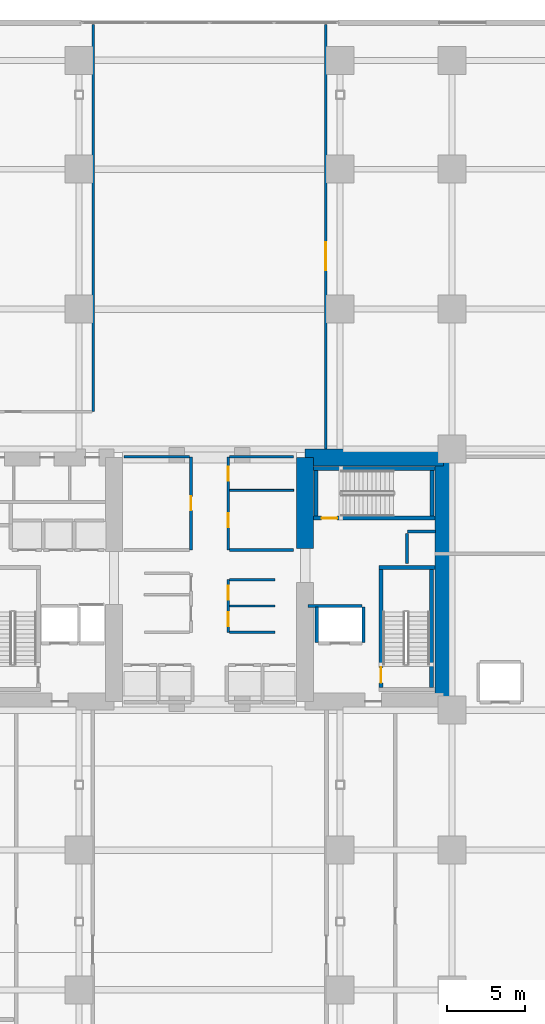
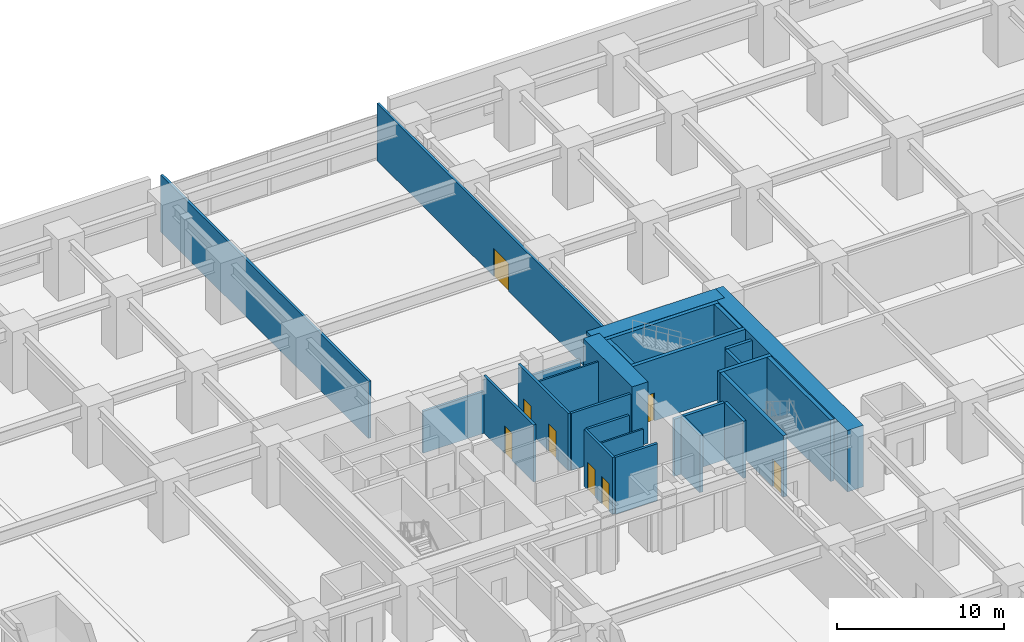
# One storey, part 15 of 26: 27 walls, 8 doors, 8 openings.
"""IFC4 building model written with IfcOpenShell, lengths in metres."""

from ifc_helpers import new_model, si_unit, direction, frame, frame_2d, origin, place, context, subcontext, project, spatial, rectangle, extrude, material, layer, layer_set, type_object, element, fill, save


model = new_model("IFC4")

# Units and contexts
model_context = context("Model", 3, precision=1e-05, world=origin(), true_north=direction((0.0, 1.0)))
body_context = subcontext(model_context, "Body", "Model", "MODEL_VIEW")
ifc_project = project(units=[si_unit("LENGTHUNIT", "METRE"), si_unit("AREAUNIT", "SQUARE_METRE"), si_unit("VOLUMEUNIT", "CUBIC_METRE"), si_unit("PLANEANGLEUNIT", "RADIAN"), si_unit("MASSUNIT", "GRAM", prefix="KILO")], contexts=[model_context])

# Site, building, storey
site_placement = place(None, origin())
site = spatial("IfcSite", under=ifc_project, at=site_placement, CompositionType="ELEMENT")
building_placement = place(site_placement, origin())
building = spatial("IfcBuilding", under=site, at=building_placement, Name="Kiyonajd Concourse Tower", CompositionType="ELEMENT")
storey_placement = place(building_placement, origin())
storey = spatial("IfcBuildingStorey", under=building, at=storey_placement, Name="L01", CompositionType="ELEMENT", Elevation=0.0)

# Walls
ifc_material_1 = material(Name="Concrete C80/95", Category="concrete")
ifc_layer_1 = layer(ifc_material_1, 1.10009765625)
ifc_layer_set_1 = layer_set([ifc_layer_1], Name="Concrete C80/95")
wall_type_1 = type_object("IfcWallType", Name="WL-CORE-1100", PredefinedType="SHEAR", material=ifc_layer_set_1)
wall_1_placement = place(storey_placement, frame((54.14990234375, 38.0, 0.0), z_axis=(0.0, 0.0, 1.0), x_axis=(0.0, 1.0, 0.0)))
element("IfcWall", 1, at=wall_1_placement, inside=storey, type_object=wall_type_1, Name="L01 East Core Inner North Shear Wall", PredefinedType="SHEAR", context=body_context, shape_type="SweptSolid", body=[
    extrude(rectangle(XDim=5.85009765625, YDim=1.10009765625, at=frame_2d((2.925048828125, 0.0))), origin(), (0.0, 0.0, 1.0), 4.5),
])
wall_2_placement = place(storey_placement, frame((63.050048828125, 27.60009765625, 0.0), z_axis=(0.0, 0.0, 1.0), x_axis=(0.0, 1.0, 0.0)))
element("IfcWall", 2, at=wall_2_placement, inside=storey, type_object=wall_type_1, Name="L01 East Core Outer Shear Wall", PredefinedType="SHEAR", context=body_context, shape_type="SweptSolid", body=[
    extrude(rectangle(XDim=16.7998046875, YDim=1.10009765625, at=frame_2d((8.39990234375, 0.0))), origin(), (0.0, 0.0, 1.0), 4.5),
])
wall_3_placement = place(storey_placement, frame((54.14990234375, 43.85009765625, 0.0), z_axis=(0.0, 0.0, 1.0), x_axis=(1.0, 0.0, 0.0)))
element("IfcWall", 3, at=wall_3_placement, inside=storey, type_object=wall_type_1, Name="L01 East Core North Shear Wall", PredefinedType="SHEAR", context=body_context, shape_type="SweptSolid", body=[
    extrude(rectangle(XDim=8.900146484375, YDim=1.10009765625, at=frame_2d((4.4501953125, 0.0))), origin(), (0.0, 0.0, 1.0), 4.5),
])
ifc_material_2 = material(Name="Gypsum Board on Cold-Formed Steel Stud", Category="steel")
ifc_layer_2 = layer(ifc_material_2, 0.125)
ifc_layer_set_2 = layer_set([ifc_layer_2], Name="Gypsum Board on Cold-Formed Steel Stud")
wall_type_2 = type_object("IfcWallType", Name="WL-PART-125", PredefinedType="PARTITIONING", material=ifc_layer_set_2)
wall_4_placement = place(storey_placement, frame((49.287109375, 34.300048828125, 0.0), z_axis=(0.0, 0.0, 1.0), x_axis=(1.0, 0.0, 0.0)))
element("IfcWall", 4, at=wall_4_placement, inside=storey, type_object=wall_type_2, Name="L01 Interior Partition Wall", PredefinedType="PARTITIONING", context=body_context, shape_type="SweptSolid", body=[
    extrude(rectangle(XDim=2.912841796875, YDim=0.125, at=frame_2d((1.45654296875, 0.0))), origin(), (0.0, 0.0, 1.0), 4.179931640625),
])
wall_5_placement = place(storey_placement, frame((49.287109375, 41.739990234375, 0.0), z_axis=(0.0, 0.0, 1.0), x_axis=(1.0, 0.0, 0.0)))
element("IfcWall", 5, at=wall_5_placement, inside=storey, type_object=wall_type_2, Name="L01 Interior Partition Wall", PredefinedType="PARTITIONING", context=body_context, shape_type="SweptSolid", body=[
    extrude(rectangle(XDim=4.11279296875, YDim=0.125, at=frame_2d((2.056396484375, 0.0))), origin(), (0.0, 0.0, 1.0), 4.179931640625),
])
ifc_layer_3 = layer(ifc_material_2, 0.2099609375)
ifc_layer_set_3 = layer_set([ifc_layer_3], Name="Gypsum Board on Cold-Formed Steel Stud")
wall_type_3 = type_object("IfcWallType", Name="WL-SHAFT-210", PredefinedType="PARTITIONING", material=ifc_layer_set_3)
wall_6_placement = place(storey_placement, frame((60.719970703125, 39.10009765625, 0.0), z_axis=(0.0, 0.0, 1.0), x_axis=(1.0, 0.0, 0.0)))
element("IfcWall", 6, at=wall_6_placement, inside=storey, type_object=wall_type_3, Name="L01 Shaft Enclosure Wall", PredefinedType="PARTITIONING", context=body_context, shape_type="SweptSolid", body=[
    extrude(rectangle(XDim=1.800048828125, YDim=0.2099609375, at=frame_2d((0.89990234375, 0.0))), origin(), (0.0, 0.0, 1.0), 4.179931640625),
])
wall_7_placement = place(storey_placement, frame((60.699951171875, 37.02001953125, 0.0), z_axis=(0.0, 0.0, 1.0), x_axis=(0.0, 1.0, 0.0)))
element("IfcWall", 7, at=wall_7_placement, inside=storey, type_object=wall_type_3, Name="L01 Shaft Enclosure Wall", PredefinedType="PARTITIONING", context=body_context, shape_type="SweptSolid", body=[
    extrude(rectangle(XDim=1.9599609375, YDim=0.2099609375, at=frame_2d((0.97998046875, 0.0))), origin(), (0.0, 0.0, 1.0), 4.179931640625),
])
wall_8_placement = place(storey_placement, frame((54.320068359375, 34.300048828125, 0.0), z_axis=(0.0, 0.0, 1.0), x_axis=(1.0, 0.0, 0.0)))
element("IfcWall", 8, at=wall_8_placement, inside=storey, type_object=wall_type_3, Name="L01 Shaft Enclosure Wall", PredefinedType="PARTITIONING", context=body_context, shape_type="SweptSolid", body=[
    extrude(rectangle(XDim=3.47998046875, YDim=0.2099609375, at=frame_2d((1.739990234375, 0.0))), origin(), (0.0, 0.0, 1.0), 4.179931640625),
])
for number, where, z_axis, x_axis, name in (
    (9, (54.89990234375, 31.9599609375, 0.0), (0.0, 0.0, 1.0), (0.0, 1.0, 0.0), "L01 Shaft Enclosure Wall"),
    (10, (57.89990234375, 31.9599609375, 0.0), (0.0, 0.0, 1.0), (0.0, 1.0, 0.0), "L01 Shaft Enclosure Wall"),
):
    element("IfcWall", number, at=place(storey_placement, frame(where, z_axis=z_axis, x_axis=x_axis)), inside=storey, type_object=wall_type_3, Name=name, PredefinedType="PARTITIONING", context=body_context, shape_type="SweptSolid", body=[
        extrude(rectangle(XDim=2.280029296875, YDim=0.2099609375, at=frame_2d((1.14013671875, 0.0))), origin(), (0.0, 0.0, 1.0), 4.179931640625),
    ])

# Wall, openings, doors
ifc_layer_4 = layer(ifc_material_2, 0.169921875)
ifc_layer_set_4 = layer_set([ifc_layer_4], Name="Gypsum Board on Cold-Formed Steel Stud")
wall_type_4 = type_object("IfcWallType", Name="WL-SMK-170", PredefinedType="PARTITIONING", material=ifc_layer_set_4)
wall_9_placement = place(storey_placement, frame((49.199951171875, 32.60009765625, 0.0), z_axis=(0.0, 0.0, 1.0), x_axis=(0.0, 1.0, 0.0)))
wall_9 = element("IfcWall", 11, at=wall_9_placement, inside=storey, type_object=wall_type_4, Name="L01 Interior Partition Wall", PredefinedType="PARTITIONING", context=body_context, shape_type="SweptSolid", body=[
    extrude(rectangle(XDim=3.39990234375, YDim=0.169921875, at=frame_2d((1.699951171875, 0.0))), origin(), (0.0, 0.0, 1.0), 4.179931640625),
])
opening_1_placement = place(wall_9_placement, frame((0.39990234375, 0.0, 0.0)))
opening_1 = element("IfcOpeningElement", 12, at=opening_1_placement, cuts=wall_9, Name="Opening DI2", PredefinedType="OPENING", context=body_context, shape_type="SweptSolid", body=[
    extrude(rectangle(XDim=0.89990234375, YDim=2.02001953125, at=frame_2d((0.449951171875, 1.010009765625))), frame((0.0, 0.094970703125, 0.0), z_axis=(0.0, -1.0, 0.0), x_axis=(1.0, 0.0, 0.0)), (0.0, 0.0, 1.0), 0.18994140625),
])
opening_2_placement = place(wall_9_placement, frame((2.10009765625, 0.0, 0.0)))
opening_2 = element("IfcOpeningElement", 13, at=opening_2_placement, cuts=wall_9, Name="Opening DI2", PredefinedType="OPENING", context=body_context, shape_type="SweptSolid", body=[
    extrude(rectangle(XDim=0.89990234375, YDim=2.02001953125, at=frame_2d((0.449951171875, 1.010009765625))), frame((0.0, 0.094970703125, 0.0), z_axis=(0.0, -1.0, 0.0), x_axis=(1.0, 0.0, 0.0)), (0.0, 0.0, 1.0), 0.18994140625),
])
ifc_material_3 = material(Name="Natural Oak Acoustic Timber Veneer", Category="wood")
door_type_1 = type_object("IfcDoorType", Name="DR-INT-900", OperationType="NOTDEFINED", PredefinedType="DOOR", material=ifc_material_3)
door_1_placement = place(opening_1_placement, origin())
door_1 = element("IfcDoor", 14, at=door_1_placement, inside=storey, type_object=door_type_1, Name="L01 Interior Door", OperationType="SINGLE_SWING_LEFT", OverallHeight=2.02001953125, OverallWidth=0.89990234375, PredefinedType="DOOR", context=body_context, shape_type="SweptSolid", body=[
    extrude(rectangle(XDim=0.89990234375, YDim=2.02001953125, at=frame_2d((0.449951171875, 1.010009765625))), frame((0.0, 0.02490234375, 0.0), z_axis=(0.0, -1.0, 0.0), x_axis=(1.0, 0.0, 0.0)), (0.0, 0.0, 1.0), 0.050048828125),
])
fill(opening_1, door_1)
door_2_placement = place(opening_2_placement, origin())
door_2 = element("IfcDoor", 15, at=door_2_placement, inside=storey, type_object=door_type_1, Name="L01 Interior Door", OperationType="SINGLE_SWING_RIGHT", OverallHeight=2.02001953125, OverallWidth=0.89990234375, PredefinedType="DOOR", context=body_context, shape_type="SweptSolid", body=[
    extrude(rectangle(XDim=0.89990234375, YDim=2.02001953125, at=frame_2d((0.449951171875, 1.010009765625))), frame((0.0, 0.02490234375, 0.0), z_axis=(0.0, -1.0, 0.0), x_axis=(1.0, 0.0, 0.0)), (0.0, 0.0, 1.0), 0.050048828125),
])
fill(opening_2, door_2)

# Walls
for number, where, z_axis, x_axis, name in (
    (16, (49.287109375, 32.60009765625, 0.0), (0.0, 0.0, 1.0), (1.0, 0.0, 0.0), "L01 Interior Partition Wall"),
    (17, (49.287109375, 36.0, 0.0), (0.0, 0.0, 1.0), (1.0, 0.0, 0.0), "L01 Interior Partition Wall"),
):
    element("IfcWall", number, at=place(storey_placement, frame(where, z_axis=z_axis, x_axis=x_axis)), inside=storey, type_object=wall_type_4, Name=name, PredefinedType="PARTITIONING", context=body_context, shape_type="SweptSolid", body=[
        extrude(rectangle(XDim=2.912841796875, YDim=0.169921875, at=frame_2d((1.45654296875, 0.0))), origin(), (0.0, 0.0, 1.0), 4.179931640625),
    ])

# Wall, opening, door
wall_10_placement = place(storey_placement, frame((46.800048828125, 37.89990234375, 0.0), z_axis=(0.0, 0.0, 1.0), x_axis=(0.0, 1.0, 0.0)))
wall_10 = element("IfcWall", 18, at=wall_10_placement, inside=storey, type_object=wall_type_4, Name="L01 Interior Partition Wall", PredefinedType="PARTITIONING", context=body_context, shape_type="SweptSolid", body=[
    extrude(rectangle(XDim=6.0, YDim=0.169921875, at=frame_2d((3.0, 0.0))), origin(), (0.0, 0.0, 1.0), 4.179931640625),
])
opening_3_placement = place(wall_10_placement, frame((2.550048828125, 0.0, 0.0)))
opening_3 = element("IfcOpeningElement", 19, at=opening_3_placement, cuts=wall_10, Name="Opening DI2", PredefinedType="OPENING", context=body_context, shape_type="SweptSolid", body=[
    extrude(rectangle(XDim=0.89990234375, YDim=2.02001953125, at=frame_2d((0.449951171875, 1.010009765625))), frame((0.0, 0.094970703125, 0.0), z_axis=(0.0, -1.0, 0.0), x_axis=(1.0, 0.0, 0.0)), (0.0, 0.0, 1.0), 0.18994140625),
])
door_3_placement = place(opening_3_placement, origin())
door_3 = element("IfcDoor", 20, at=door_3_placement, inside=storey, type_object=door_type_1, Name="L01 Interior Door", OperationType="SINGLE_SWING_LEFT", OverallHeight=2.02001953125, OverallWidth=0.89990234375, PredefinedType="DOOR", context=body_context, shape_type="SweptSolid", body=[
    extrude(rectangle(XDim=0.89990234375, YDim=2.02001953125, at=frame_2d((0.449951171875, 1.010009765625))), frame((0.0, 0.02490234375, 0.0), z_axis=(0.0, -1.0, 0.0), x_axis=(1.0, 0.0, 0.0)), (0.0, 0.0, 1.0), 0.050048828125),
])
fill(opening_3, door_3)

# Wall
wall_11_placement = place(storey_placement, frame((42.5, 43.89990234375, 0.0), z_axis=(0.0, 0.0, 1.0), x_axis=(1.0, 0.0, 0.0)))
element("IfcWall", 21, at=wall_11_placement, inside=storey, type_object=wall_type_4, Name="L01 Interior Partition Wall", PredefinedType="PARTITIONING", context=body_context, shape_type="SweptSolid", body=[
    extrude(rectangle(XDim=4.212890625, YDim=0.169921875, at=frame_2d((2.1064453125, 0.0))), origin(), (0.0, 0.0, 1.0), 3.06494140625),
])

# Wall, openings, doors
wall_12_placement = place(storey_placement, frame((49.199951171875, 37.89990234375, 0.0), z_axis=(0.0, 0.0, 1.0), x_axis=(0.0, 1.0, 0.0)))
wall_12 = element("IfcWall", 22, at=wall_12_placement, inside=storey, type_object=wall_type_4, Name="L01 Interior Partition Wall", PredefinedType="PARTITIONING", context=body_context, shape_type="SweptSolid", body=[
    extrude(rectangle(XDim=6.0, YDim=0.169921875, at=frame_2d((3.0, 0.0))), origin(), (0.0, 0.0, 1.0), 4.179931640625),
])
opening_4_placement = place(wall_12_placement, frame((1.469970703125, 0.0, 0.0)))
opening_4 = element("IfcOpeningElement", 23, at=opening_4_placement, cuts=wall_12, Name="Opening DF4", PredefinedType="OPENING", context=body_context, shape_type="SweptSolid", body=[
    extrude(rectangle(XDim=0.89990234375, YDim=2.02001953125, at=frame_2d((0.449951171875, 1.010009765625))), frame((0.0, 0.094970703125, 0.0), z_axis=(0.0, -1.0, 0.0), x_axis=(1.0, 0.0, 0.0)), (0.0, 0.0, 1.0), 0.18994140625),
])
opening_5_placement = place(wall_12_placement, frame((4.469970703125, 0.0, 0.0)))
opening_5 = element("IfcOpeningElement", 24, at=opening_5_placement, cuts=wall_12, Name="Opening DF4", PredefinedType="OPENING", context=body_context, shape_type="SweptSolid", body=[
    extrude(rectangle(XDim=0.89990234375, YDim=2.02001953125, at=frame_2d((0.449951171875, 1.010009765625))), frame((0.0, 0.094970703125, 0.0), z_axis=(0.0, -1.0, 0.0), x_axis=(1.0, 0.0, 0.0)), (0.0, 0.0, 1.0), 0.18994140625),
])
ifc_material_4 = material(Name="Brushed Stainless Steel Cab Assembly", Category="steel")
door_type_2 = type_object("IfcDoorType", Name="DR-FD60-900", OperationType="NOTDEFINED", PredefinedType="DOOR", material=ifc_material_4)
door_4_placement = place(opening_4_placement, origin())
door_4 = element("IfcDoor", 25, at=door_4_placement, inside=storey, type_object=door_type_2, Name="L01 Interior Door", OperationType="SINGLE_SWING_RIGHT", OverallHeight=2.02001953125, OverallWidth=0.89990234375, PredefinedType="DOOR", context=body_context, shape_type="SweptSolid", body=[
    extrude(rectangle(XDim=0.89990234375, YDim=2.02001953125, at=frame_2d((0.449951171875, 1.010009765625))), frame((0.0, 0.02490234375, 0.0), z_axis=(0.0, -1.0, 0.0), x_axis=(1.0, 0.0, 0.0)), (0.0, 0.0, 1.0), 0.050048828125),
])
fill(opening_4, door_4)
door_5_placement = place(opening_5_placement, origin())
door_5 = element("IfcDoor", 26, at=door_5_placement, inside=storey, type_object=door_type_2, Name="L01 Interior Door", OperationType="SINGLE_SWING_LEFT", OverallHeight=2.02001953125, OverallWidth=0.89990234375, PredefinedType="DOOR", context=body_context, shape_type="SweptSolid", body=[
    extrude(rectangle(XDim=0.89990234375, YDim=2.02001953125, at=frame_2d((0.449951171875, 1.010009765625))), frame((0.0, 0.02490234375, 0.0), z_axis=(0.0, -1.0, 0.0), x_axis=(1.0, 0.0, 0.0)), (0.0, 0.0, 1.0), 0.050048828125),
])
fill(opening_5, door_5)

# Walls
wall_13_placement = place(storey_placement, frame((49.287109375, 37.89990234375, 0.0), z_axis=(0.0, 0.0, 1.0), x_axis=(1.0, 0.0, 0.0)))
element("IfcWall", 27, at=wall_13_placement, inside=storey, type_object=wall_type_4, Name="L01 Interior Partition Wall", PredefinedType="PARTITIONING", context=body_context, shape_type="SweptSolid", body=[
    extrude(rectangle(XDim=4.11279296875, YDim=0.169921875, at=frame_2d((2.056396484375, 0.0))), origin(), (0.0, 0.0, 1.0), 4.179931640625),
])
wall_14_placement = place(storey_placement, frame((49.287109375, 43.89990234375, 0.0), z_axis=(0.0, 0.0, 1.0), x_axis=(1.0, 0.0, 0.0)))
element("IfcWall", 28, at=wall_14_placement, inside=storey, type_object=wall_type_4, Name="L01 Interior Partition Wall", PredefinedType="PARTITIONING", context=body_context, shape_type="SweptSolid", body=[
    extrude(rectangle(XDim=4.11279296875, YDim=0.169921875, at=frame_2d((2.056396484375, 0.0))), origin(), (0.0, 0.0, 1.0), 3.06494140625),
])
wall_15_placement = place(storey_placement, frame((40.52001953125, 46.800048828125, 0.0), z_axis=(0.0, 0.0, 1.0), x_axis=(0.0, 1.0, 0.0)))
element("IfcWall", 29, at=wall_15_placement, inside=storey, type_object=wall_type_4, Name="L01 Interior Partition Wall", PredefinedType="PARTITIONING", context=body_context, shape_type="SweptSolid", body=[
    extrude(rectangle(XDim=24.9150390625, YDim=0.169921875, at=frame_2d((12.45751953125, 0.0))), origin(), (0.0, 0.0, 1.0), 4.179931640625),
])

# Wall, opening, door
wall_16_placement = place(storey_placement, frame((55.47998046875, 44.39990234375, 0.0), z_axis=(0.0, 0.0, 1.0), x_axis=(0.0, 1.0, 0.0)))
wall_16 = element("IfcWall", 30, at=wall_16_placement, inside=storey, type_object=wall_type_4, Name="L01 Interior Partition Wall", PredefinedType="PARTITIONING", context=body_context, shape_type="SweptSolid", body=[
    extrude(rectangle(XDim=27.315185546875, YDim=0.169921875, at=frame_2d((13.65771484375, 0.0))), origin(), (0.0, 0.0, 1.0), 4.179931640625),
])
opening_6_placement = place(wall_16_placement, frame((11.5, 0.0, 0.0)))
opening_6 = element("IfcOpeningElement", 31, at=opening_6_placement, cuts=wall_16, Name="Opening DI3", PredefinedType="OPENING", context=body_context, shape_type="SweptSolid", body=[
    extrude(rectangle(XDim=1.800048828125, YDim=2.06005859375, at=frame_2d((0.89990234375, 1.030029296875))), frame((0.0, 0.094970703125, 0.0), z_axis=(0.0, -1.0, 0.0), x_axis=(1.0, 0.0, 0.0)), (0.0, 0.0, 1.0), 0.18994140625),
])
door_type_3 = type_object("IfcDoorType", Name="DR-PAIR-1800", OperationType="DOUBLE_DOOR_SINGLE_SWING", PredefinedType="DOOR", material=ifc_material_4)
door_6_placement = place(opening_6_placement, origin())
door_6 = element("IfcDoor", 32, at=door_6_placement, inside=storey, type_object=door_type_3, Name="L01 Interior Door", OperationType="DOUBLE_DOOR_SINGLE_SWING", OverallHeight=2.06005859375, OverallWidth=1.800048828125, PredefinedType="DOOR", context=body_context, shape_type="SweptSolid", body=[
    extrude(rectangle(XDim=1.800048828125, YDim=2.06005859375, at=frame_2d((0.89990234375, 1.030029296875))), frame((0.0, 0.02490234375, 0.0), z_axis=(0.0, -1.0, 0.0), x_axis=(1.0, 0.0, 0.0)), (0.0, 0.0, 1.0), 0.050048828125),
])
fill(opening_6, door_6)

# Wall
ifc_material_5 = material(Name="Concrete C50/60", Category="concrete")
ifc_layer_5 = layer(ifc_material_5, 0.260009765625)
ifc_layer_set_5 = layer_set([ifc_layer_5], Name="Concrete C50/60")
wall_type_5 = type_object("IfcWallType", Name="WL-STAIR-260", PredefinedType="SHEAR", material=ifc_layer_set_5)
wall_17_placement = place(storey_placement, frame((58.889892578125, 36.780029296875, 0.0), z_axis=(0.0, 0.0, 1.0), x_axis=(1.0, 0.0, 0.0)))
element("IfcWall", 33, at=wall_17_placement, inside=storey, type_object=wall_type_5, Name="L01 Stair ST2 Structural North Wall", PredefinedType="SHEAR", context=body_context, shape_type="SweptSolid", body=[
    extrude(rectangle(XDim=3.610107421875, YDim=0.260009765625, at=frame_2d((1.80517578125, 0.0))), origin(), (0.0, 0.0, 1.0), 4.5),
])

# Wall, opening, door
wall_18_placement = place(storey_placement, frame((59.02001953125, 29.050048828125, 0.0), z_axis=(0.0, 0.0, 1.0), x_axis=(0.0, 1.0, 0.0)))
wall_18 = element("IfcWall", 34, at=wall_18_placement, inside=storey, type_object=wall_type_5, Name="L01 Stair ST2 Structural West Wall", PredefinedType="SHEAR", context=body_context, shape_type="SweptSolid", body=[
    extrude(rectangle(XDim=7.599853515625, YDim=0.260009765625, at=frame_2d((3.7998046875, 0.0))), origin(), (0.0, 0.0, 1.0), 4.5),
])
opening_7_placement = place(wall_18_placement, frame((0.300048828125, 0.0, 0.0)))
opening_7 = element("IfcOpeningElement", 35, at=opening_7_placement, cuts=wall_18, Name="Opening DF1", PredefinedType="OPENING", context=body_context, shape_type="SweptSolid", body=[
    extrude(rectangle(XDim=1.0, YDim=2.0400390625, at=frame_2d((0.5, 1.02001953125))), frame((0.0, 0.139892578125, 0.0), z_axis=(0.0, -1.0, 0.0), x_axis=(1.0, 0.0, 0.0)), (0.0, 0.0, 1.0), 0.280029296875),
])
door_type_4 = type_object("IfcDoorType", Name="DR-FD90-1000", OperationType="NOTDEFINED", PredefinedType="DOOR", material=ifc_material_4)
door_7_placement = place(opening_7_placement, origin())
door_7 = element("IfcDoor", 36, at=door_7_placement, inside=storey, type_object=door_type_4, Name="L01 Stair ST2 FSAE Door", OperationType="SINGLE_SWING_RIGHT", OverallHeight=2.0400390625, OverallWidth=1.0, PredefinedType="DOOR", context=body_context, shape_type="SweptSolid", body=[
    extrude(rectangle(XDim=1.0, YDim=2.0400390625, at=frame_2d((0.5, 1.02001953125))), frame((0.0, 0.02490234375, 0.0), z_axis=(0.0, -1.0, 0.0), x_axis=(1.0, 0.0, 0.0)), (0.0, 0.0, 1.0), 0.050048828125),
])
fill(opening_7, door_7)

# Wall
wall_19_placement = place(storey_placement, frame((62.280029296875, 29.050048828125, 0.0), z_axis=(0.0, 0.0, 1.0), x_axis=(0.0, 1.0, 0.0)))
element("IfcWall", 37, at=wall_19_placement, inside=storey, type_object=wall_type_5, Name="L01 Stair ST2 Structural East Wall", PredefinedType="SHEAR", context=body_context, shape_type="SweptSolid", body=[
    extrude(rectangle(XDim=7.599853515625, YDim=0.260009765625, at=frame_2d((3.7998046875, 0.0))), origin(), (0.0, 0.0, 1.0), 4.5),
])

# Wall, opening, door
wall_20_placement = place(storey_placement, frame((54.699951171875, 39.949951171875, 0.0), z_axis=(0.0, 0.0, 1.0), x_axis=(1.0, 0.0, 0.0)))
wall_20 = element("IfcWall", 38, at=wall_20_placement, inside=storey, type_object=wall_type_5, Name="L01 Stair ST3 Structural South Wall", PredefinedType="SHEAR", context=body_context, shape_type="SweptSolid", body=[
    extrude(rectangle(XDim=7.800048828125, YDim=0.260009765625, at=frame_2d((3.89990234375, 0.0))), origin(), (0.0, 0.0, 1.0), 4.5),
])
opening_8_placement = place(wall_20_placement, frame((0.5, 0.0, 0.0)))
opening_8 = element("IfcOpeningElement", 39, at=opening_8_placement, cuts=wall_20, Name="Opening DF1", PredefinedType="OPENING", context=body_context, shape_type="SweptSolid", body=[
    extrude(rectangle(XDim=1.0, YDim=2.0400390625, at=frame_2d((0.5, 1.02001953125))), frame((0.0, 0.139892578125, 0.0), z_axis=(0.0, -1.0, 0.0), x_axis=(1.0, 0.0, 0.0)), (0.0, 0.0, 1.0), 0.280029296875),
])
door_8_placement = place(opening_8_placement, origin())
door_8 = element("IfcDoor", 40, at=door_8_placement, inside=storey, type_object=door_type_4, Name="L01 Stair ST3 Enclosure Door", OperationType="SINGLE_SWING_LEFT", OverallHeight=2.0400390625, OverallWidth=1.0, PredefinedType="DOOR", context=body_context, shape_type="SweptSolid", body=[
    extrude(rectangle(XDim=1.0, YDim=2.0400390625, at=frame_2d((0.5, 1.02001953125))), frame((0.0, 0.02490234375, 0.0), z_axis=(0.0, -1.0, 0.0), x_axis=(1.0, 0.0, 0.0)), (0.0, 0.0, 1.0), 0.050048828125),
])
fill(opening_8, door_8)

# Walls
wall_21_placement = place(storey_placement, frame((54.699951171875, 43.14990234375, 0.0), z_axis=(0.0, 0.0, 1.0), x_axis=(1.0, 0.0, 0.0)))
element("IfcWall", 41, at=wall_21_placement, inside=storey, type_object=wall_type_5, Name="L01 Stair ST3 Structural North Wall", PredefinedType="SHEAR", context=body_context, shape_type="SweptSolid", body=[
    extrude(rectangle(XDim=7.800048828125, YDim=0.260009765625, at=frame_2d((3.89990234375, 0.0))), origin(), (0.0, 0.0, 1.0), 4.5),
])
for number, where, z_axis, x_axis, name in (
    (42, (54.85009765625, 40.080078125, 0.0), (0.0, 0.0, 1.0), (0.0, 1.0, 0.0), "L01 Stair ST3 Structural West Wall"),
    (43, (62.31005859375, 40.080078125, 0.0), (0.0, 0.0, 1.0), (0.0, 1.0, 0.0), "L01 Stair ST3 Structural East Wall"),
):
    element("IfcWall", number, at=place(storey_placement, frame(where, z_axis=z_axis, x_axis=x_axis)), inside=storey, type_object=wall_type_5, Name=name, PredefinedType="SHEAR", context=body_context, shape_type="SweptSolid", body=[
        extrude(rectangle(XDim=2.93994140625, YDim=0.260009765625, at=frame_2d((1.469970703125, 0.0))), origin(), (0.0, 0.0, 1.0), 4.5),
    ])

save(model, "model.ifc")
